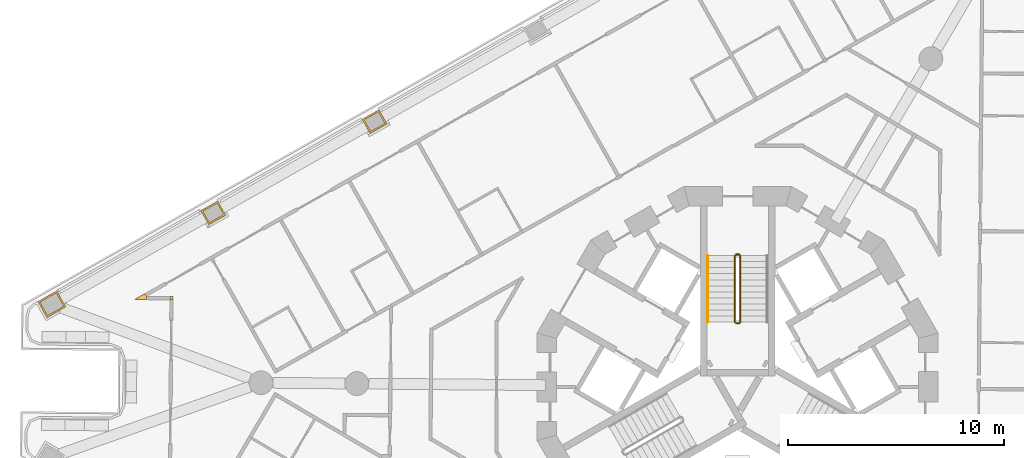
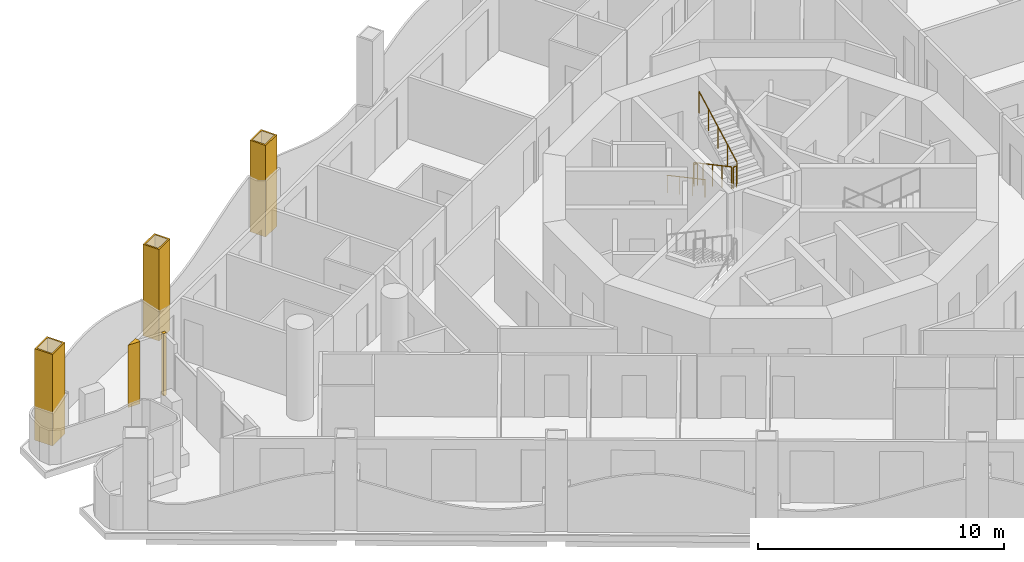
# One storey, part 15 of 17: 5 coverings, 5 railings.
"""IFC4 building model written with IfcOpenShell, lengths in metres."""

from ifc_helpers import new_model, si_unit, direction, frame, origin, origin_2d, place, context, subcontext, project, spatial, polyline, circle, outline, extrude, material, layer, layer_set, type_object, element, save


model = new_model("IFC4")

# Units and contexts
model_context = context("Model", 3, precision=1e-05, world=origin(), true_north=direction((0.0, 1.0)))
body_context = subcontext(model_context, "Body", "Model", "MODEL_VIEW")
ifc_project = project(units=[si_unit("LENGTHUNIT", "METRE"), si_unit("AREAUNIT", "SQUARE_METRE"), si_unit("VOLUMEUNIT", "CUBIC_METRE"), si_unit("PLANEANGLEUNIT", "RADIAN"), si_unit("MASSUNIT", "GRAM", prefix="KILO")], contexts=[model_context])

# Site, building, storey
site_placement = place(None, origin())
site = spatial("IfcSite", under=ifc_project, at=site_placement, CompositionType="ELEMENT")
building_placement = place(site_placement, origin())
building = spatial("IfcBuilding", under=site, at=building_placement, Name="Trine Commons Tower", CompositionType="ELEMENT")
storey_placement = place(building_placement, frame((0.0, 0.0, 189.89990234375)))
storey = spatial("IfcBuildingStorey", under=building, at=storey_placement, Name="L49", CompositionType="ELEMENT", Elevation=189.89990234375)

# Coverings
ifc_material_1 = material(Name="Aluminium-framed insulated wall panel", Category="aluminium")
ifc_layer_1 = layer(ifc_material_1, 0.14990234375)
ifc_layer_set_1 = layer_set([ifc_layer_1], Name="Aluminium-framed insulated wall panel")
covering_type_1 = type_object("IfcCoveringType", Name="Glazing corner post, aluminium", PredefinedType="CLADDING", material=ifc_layer_set_1)
covering_1_placement = place(storey_placement, origin())
element("IfcCovering", 1, at=covering_1_placement, inside=storey, type_object=covering_type_1, Name="Glazing corner post 5-03", PredefinedType="CLADDING", context=body_context, shape_type="SweptSolid", body=[
    extrude(outline(polyline([(53.89892578125, 66.517822265625), (53.900390625, 66.66796875), (53.750244140625, 66.669189453125), (53.7490234375, 66.519287109375), (53.89892578125, 66.517822265625)])), origin(), (0.0, 0.0, 1.0), 3.10009765625),
])
covering_2_placement = place(storey_placement, origin())
element("IfcCovering", 2, at=covering_2_placement, inside=storey, type_object=covering_type_1, Name="Glazing corner post 5-04", PredefinedType="CLADDING", context=body_context, shape_type="SweptSolid", body=[
    extrude(outline(polyline([(52.663330078125, 66.52880859375), (52.66455078125, 66.6787109375), (52.5908203125, 66.809326171875), (52.103515625, 66.53369140625), (52.663330078125, 66.52880859375)])), origin(), (0.0, 0.0, 1.0), 3.10009765625),
])
ifc_material_2 = material(Name="Limestone, honed", Category="masonry")
ifc_layer_2 = layer(ifc_material_2, 0.074951171875)
ifc_layer_set_2 = layer_set([ifc_layer_2], Name="Limestone, honed")
covering_type_2 = type_object("IfcCoveringType", Name="Limestone column cladding 75", PredefinedType="CLADDING", material=ifc_layer_set_2)
covering_3_placement = place(storey_placement, origin())
element("IfcCovering", 3, at=covering_3_placement, inside=storey, type_object=covering_type_2, Name="Limestone pier cladding 5-08", PredefinedType="CLADDING", context=body_context, shape_type="SweptSolid", body=[
    extrude(outline(polyline([(48.94091796875, 66.197509765625), (48.522216796875, 66.9375), (47.65185546875, 66.445068359375), (48.0703125, 65.705078125), (48.94091796875, 66.197509765625)]), holes=[polyline([(48.83837890625, 66.22607421875), (48.493896484375, 66.835205078125), (47.754150390625, 66.41650390625), (48.0986328125, 65.807373046875), (48.83837890625, 66.22607421875)])]), origin(), (0.0, 0.0, 1.0), 4.54931640625),
])
covering_4_placement = place(storey_placement, origin())
element("IfcCovering", 4, at=covering_4_placement, inside=storey, type_object=covering_type_2, Name="Limestone pier cladding 5-09", PredefinedType="CLADDING", context=body_context, shape_type="SweptSolid", body=[
    extrude(outline(polyline([(56.33203125, 70.43701171875), (55.962890625, 71.089599609375), (55.179443359375, 70.646484375), (55.548828125, 69.99365234375), (56.33203125, 70.43701171875)]), holes=[polyline([(56.22998046875, 70.46533203125), (55.9345703125, 70.987548828125), (55.28173828125, 70.6181640625), (55.5771484375, 70.095947265625), (56.22998046875, 70.46533203125)])]), origin(), (0.0, 0.0, 1.0), 4.54931640625),
])
covering_5_placement = place(storey_placement, origin())
element("IfcCovering", 5, at=covering_5_placement, inside=storey, type_object=covering_type_2, Name="Limestone pier cladding 5-10", PredefinedType="CLADDING", context=body_context, shape_type="SweptSolid", body=[
    extrude(outline(polyline([(63.79150390625, 74.6572265625), (63.422119140625, 75.31005859375), (62.638916015625, 74.86669921875), (63.00830078125, 74.214111328125), (63.79150390625, 74.6572265625)]), holes=[polyline([(63.689208984375, 74.685546875), (63.393798828125, 75.207763671875), (62.7412109375, 74.83837890625), (63.03662109375, 74.316162109375), (63.689208984375, 74.685546875)])]), origin(), (0.0, 0.0, 1.0), 4.54931640625),
])

# Railings
ifc_material_3 = material(Name="Stainless steel balustrade", Category="steel")
railing_type_1 = type_object("IfcRailingType", Name="Stair guard, steel balustrade 1100", PredefinedType="GUARDRAIL", material=ifc_material_3)
railing_1_placement = place(storey_placement, frame((79.875, 68.570556640625, 0.150146484375)))
element("IfcRailing", 6, at=railing_1_placement, inside=storey, type_object=railing_type_1, Name="L49 ST1B stair guard 1", PredefinedType="GUARDRAIL", context=body_context, shape_type="SweptSolid", body=[
    extrude(circle(Radius=0.02392578125, at=origin_2d()), frame((0.0, 0.0, 1.076171875), z_axis=(0.0, -0.881496589024, 0.472190389079), x_axis=(1.0, 0.0, 0.0)), (0.0, 0.0, 1.0), 3.494140625),
    extrude(circle(Radius=0.02099609375, at=origin_2d()), origin(), (0.0, 0.0, 1.0), 1.052001953125),
    extrude(circle(Radius=0.02099609375, at=origin_2d()), frame((0.0, -0.77001953125, 0.41259765625)), (0.0, 0.0, 1.0), 1.052001953125),
    extrude(circle(Radius=0.02099609375, at=origin_2d()), frame((0.0, -1.5400390625, 0.824951171875)), (0.0, 0.0, 1.0), 1.052001953125),
    extrude(circle(Radius=0.02099609375, at=origin_2d()), frame((0.0, -2.31005859375, 1.2373046875)), (0.0, 0.0, 1.0), 1.052001953125),
    extrude(circle(Radius=0.02099609375, at=origin_2d()), frame((0.0, -3.080078125, 1.64990234375)), (0.0, 0.0, 1.0), 1.052001953125),
])
railing_2_placement = place(storey_placement, frame((79.925048828125, 65.440673828125, 1.800048828125)))
element("IfcRailing", 7, at=railing_2_placement, inside=storey, type_object=railing_type_1, Name="L49 ST1B stair guard 2", PredefinedType="GUARDRAIL", context=body_context, shape_type="SweptSolid", body=[
    extrude(circle(Radius=0.02392578125, at=origin_2d()), frame((0.0, 0.0, 1.076171875), z_axis=(1.0, 0.0, 0.0), x_axis=(0.0, 1.0, 0.0)), (0.0, 0.0, 1.0), 0.14990234375),
    extrude(circle(Radius=0.02099609375, at=origin_2d()), origin(), (0.0, 0.0, 1.0), 1.052001953125),
    extrude(circle(Radius=0.02099609375, at=origin_2d()), frame((0.14990234375, 0.0, 0.0)), (0.0, 0.0, 1.0), 1.052001953125),
])
railing_3_placement = place(storey_placement, frame((80.125, 65.490478515625, 1.9501953125)))
element("IfcRailing", 8, at=railing_3_placement, inside=storey, type_object=railing_type_1, Name="L49 ST1B stair guard 3", PredefinedType="GUARDRAIL", context=body_context, shape_type="SweptSolid", body=[
    extrude(circle(Radius=0.02392578125, at=origin_2d()), frame((0.0, 0.0, 1.076171875), z_axis=(0.0, 0.881496589024, 0.472190389079), x_axis=(-1.0, 0.0, 0.0)), (0.0, 0.0, 1.0), 3.494140625),
    extrude(circle(Radius=0.02099609375, at=origin_2d()), origin(), (0.0, 0.0, 1.0), 1.052001953125),
    extrude(circle(Radius=0.02099609375, at=origin_2d()), frame((0.0, 0.77001953125, 0.41259765625)), (0.0, 0.0, 1.0), 1.052001953125),
    extrude(circle(Radius=0.02099609375, at=origin_2d()), frame((0.0, 1.5400390625, 0.824951171875)), (0.0, 0.0, 1.0), 1.052001953125),
    extrude(circle(Radius=0.02099609375, at=origin_2d()), frame((0.0, 2.31005859375, 1.2373046875)), (0.0, 0.0, 1.0), 1.052001953125),
    extrude(circle(Radius=0.02099609375, at=origin_2d()), frame((0.0, 3.080078125, 1.64990234375)), (0.0, 0.0, 1.0), 1.052001953125),
])
railing_4_placement = place(storey_placement, frame((79.925048828125, 68.62060546875, 0.0)))
element("IfcRailing", 9, at=railing_4_placement, inside=storey, type_object=railing_type_1, Name="L49 ST1B stair guard 4", PredefinedType="GUARDRAIL", context=body_context, shape_type="SweptSolid", body=[
    extrude(circle(Radius=0.02392578125, at=origin_2d()), frame((0.0, 0.0, 1.076171875), z_axis=(1.0, 0.0, 0.0), x_axis=(0.0, 1.0, 0.0)), (0.0, 0.0, 1.0), 0.14990234375),
    extrude(circle(Radius=0.02099609375, at=origin_2d()), origin(), (0.0, 0.0, 1.0), 1.052001953125),
    extrude(circle(Radius=0.02099609375, at=origin_2d()), frame((0.14990234375, 0.0, 0.0)), (0.0, 0.0, 1.0), 1.052001953125),
])
ifc_material_4 = material(Name="Stainless steel handrail", Category="steel")
railing_type_2 = type_object("IfcRailingType", Name="Stair handrail, steel 900", PredefinedType="HANDRAIL", material=ifc_material_4)
railing_5_placement = place(storey_placement, frame((78.625, 68.570556640625, 0.150146484375)))
element("IfcRailing", 10, at=railing_5_placement, inside=storey, type_object=railing_type_2, Name="L49 ST1B stair handrail 1", PredefinedType="HANDRAIL", context=body_context, shape_type="SweptSolid", body=[
    extrude(circle(Radius=0.02099609375, at=origin_2d()), frame((0.0, 0.0, 0.87890625), z_axis=(0.0, -0.881496589024, 0.472190389079), x_axis=(1.0, 0.0, 0.0)), (0.0, 0.0, 1.0), 3.494140625),
    extrude(circle(Radius=0.01513671875, at=origin_2d()), origin(), (0.0, 0.0, 1.0), 0.85791015625),
    extrude(circle(Radius=0.01513671875, at=origin_2d()), frame((0.0, -1.026611328125, 0.550048828125)), (0.0, 0.0, 1.0), 0.85791015625),
    extrude(circle(Radius=0.01513671875, at=origin_2d()), frame((0.0, -2.053466796875, 1.099853515625)), (0.0, 0.0, 1.0), 0.85791015625),
    extrude(circle(Radius=0.01513671875, at=origin_2d()), frame((0.0, -3.080078125, 1.64990234375)), (0.0, 0.0, 1.0), 0.85791015625),
])

save(model, "model.ifc")
